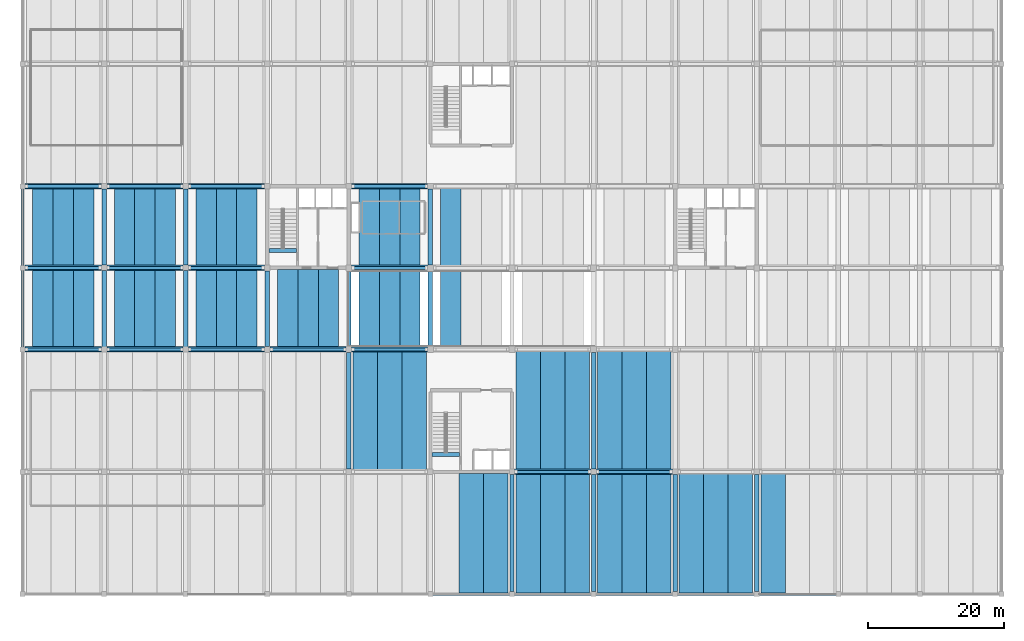
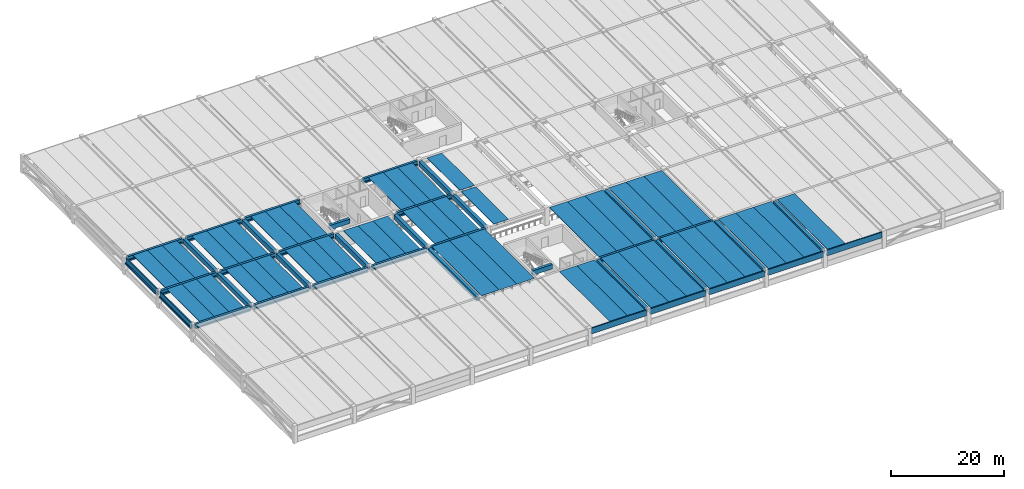
# One storey, part 2 of 16: 88 beams.
"""IFC4 building model written with IfcOpenShell, lengths in metres."""

import ifcopenshell
import ifcopenshell.guid

model = None  # the IFC model being written
_history = None  # IfcOwnerHistory: only IFC2X3 demands one
_inside = {}  # id of a spatial element -> (the spatial element, [elements in it])
_under = {}  # id of a project, library or spatial element -> (it, [spatial elements below it])
_declared = {}  # id of a project -> (the project, [libraries it declares])
_typed = {}  # id of a type object -> (the type object, [elements of that type])
_made_of = {}  # id of a material, layer set ... -> (it, [elements and type objects made of it])


def new_model(schema):
    """Start an empty IFC model of exactly this schema.

    Asked for "IFC4X3", IfcOpenShell would pick the latest addendum, in which some entities
    have other attributes; the version numbers below select the first issue.
    IFC2X3 requires an IfcOwnerHistory on every rooted entity: one is made here for all.
    """
    global model, _history
    if schema == "IFC4X3":
        model = ifcopenshell.file(schema_version=(4, 3, 0, 0))
    else:
        model = ifcopenshell.file(schema=schema)
    _inside.clear()
    _under.clear()
    _declared.clear()
    _typed.clear()
    _made_of.clear()
    _history = None
    if model.schema == "IFC2X3":
        org = make("IfcOrganization", Name="unknown")
        user = make(
            "IfcPersonAndOrganization",
            ThePerson=make("IfcPerson", FamilyName="unknown"),
            TheOrganization=org,
        )
        app = make(
            "IfcApplication",
            ApplicationDeveloper=org,
            Version="unknown",
            ApplicationFullName="unknown",
            ApplicationIdentifier="unknown",
        )
        _history = make(
            "IfcOwnerHistory",
            OwningUser=user,
            OwningApplication=app,
            ChangeAction="ADDED",
            CreationDate=0,
        )
    return model


def make(cls, **values):
    """One entity of the class cls with the attributes given. An attribute that is None is left unset."""
    return model.create_entity(
        cls, **{name: value for name, value in values.items() if value is not None}
    )


def rooted(cls, **values):
    """An entity with a GlobalId (a new one), such as an element, a storey or a relation."""
    return make(cls, GlobalId=ifcopenshell.guid.new(), OwnerHistory=_history, **values)


def si_unit(unit_type, name, prefix=None):
    """IfcSIUnit, for example si_unit("LENGTHUNIT", "METRE", prefix="MILLI")."""
    return make("IfcSIUnit", UnitType=unit_type, Prefix=prefix, Name=name)


def assignment(units):
    """IfcUnitAssignment: the units of a project."""
    return None if units is None else make("IfcUnitAssignment", Units=units)


def point(xyz):
    """IfcCartesianPoint."""
    return None if xyz is None else make("IfcCartesianPoint", Coordinates=xyz)


def direction(xyz):
    """IfcDirection."""
    return None if xyz is None else make("IfcDirection", DirectionRatios=xyz)


def frame(location, z_axis=None, x_axis=None):
    """IfcAxis2Placement3D, a coordinate frame: its origin and axes. An axis left out is left unset."""
    return make(
        "IfcAxis2Placement3D",
        Location=point(location),
        Axis=direction(z_axis),
        RefDirection=direction(x_axis),
    )


def frame_2d(location, x_axis=None):
    """IfcAxis2Placement2D, a coordinate frame in the plane: its origin and x axis."""
    return make(
        "IfcAxis2Placement2D", Location=point(location), RefDirection=direction(x_axis)
    )


def origin():
    """The frame at (0, 0, 0) with its axes left unset."""
    return frame((0.0, 0.0, 0.0))


def origin_2d():
    """The frame at (0, 0) in the plane with its x axis left unset."""
    return frame_2d((0.0, 0.0))


def place(relative_to, where):
    """IfcLocalPlacement: puts the frame where relative to a parent placement (None: the world)."""
    return make(
        "IfcLocalPlacement", PlacementRelTo=relative_to, RelativePlacement=where
    )


def context(
    kind, dimensions, precision=None, world=None, true_north=None, identifier=None
):
    """IfcGeometricRepresentationContext, for example the 3D "Model" context."""
    return make(
        "IfcGeometricRepresentationContext",
        ContextIdentifier=identifier,
        ContextType=kind,
        CoordinateSpaceDimension=dimensions,
        Precision=precision,
        WorldCoordinateSystem=world,
        TrueNorth=true_north,
    )


def subcontext(parent, identifier, kind, view, scale=None):
    """IfcGeometricRepresentationSubContext, for example "Body" below "Model"."""
    return make(
        "IfcGeometricRepresentationSubContext",
        ContextIdentifier=identifier,
        ContextType=kind,
        ParentContext=parent,
        TargetScale=scale,
        TargetView=view,
    )


def project(units=None, contexts=None):
    """IfcProject with its units and contexts."""
    return rooted(
        "IfcProject",
        Name="project",
        RepresentationContexts=contexts,
        UnitsInContext=assignment(units),
    )


def spatial(cls, under=None, at=None, **own):
    """A site, building, storey or space (cls), placed at a placement, below another one or the project."""
    s = rooted(cls, ObjectPlacement=at, **own)
    if under is not None:
        _under.setdefault(under.id(), (under, []))[1].append(s)
    return s


def polyline(points):
    """IfcPolyline through the points."""
    return make("IfcPolyline", Points=[point(p) for p in points])


def profile(cls, at=None, kind="AREA", **sizes):
    """A parametric profile (cls). Its sizes go by their IFC names, for example OverallWidth=200.0."""
    return make(cls, ProfileType=kind, Position=at, **sizes)


def rectangle(**sizes):
    """IfcRectangleProfileDef."""
    return profile("IfcRectangleProfileDef", **sizes)


def outline(outer, holes=None, kind="AREA"):
    """IfcArbitraryClosedProfileDef: a profile drawn as a closed curve; with holes, ...WithVoids."""
    if holes is None:
        return make("IfcArbitraryClosedProfileDef", ProfileType=kind, OuterCurve=outer)
    return make(
        "IfcArbitraryProfileDefWithVoids",
        ProfileType=kind,
        OuterCurve=outer,
        InnerCurves=holes,
    )


def extrude(swept, where, along, depth):
    """IfcExtrudedAreaSolid: the profile swept, set in the frame where, extruded along a direction by depth."""
    return make(
        "IfcExtrudedAreaSolid",
        SweptArea=swept,
        Position=where,
        ExtrudedDirection=direction(along),
        Depth=depth,
    )


def shape(context_of_items, identifier, shape_type, items):
    """IfcShapeRepresentation: the items that make up one representation, for example the "Body"."""
    return make(
        "IfcShapeRepresentation",
        ContextOfItems=context_of_items,
        RepresentationIdentifier=identifier,
        RepresentationType=shape_type,
        Items=items,
    )


def material(Name=None, Category=None):
    """IfcMaterial."""
    return make("IfcMaterial", Name=Name, Category=Category)


def material_profile(
    of_material, cross_section, Name=None, Category=None, Priority=None
):
    """IfcMaterialProfile: a cross section and its material."""
    return make(
        "IfcMaterialProfile",
        Name=Name,
        Material=of_material,
        Profile=cross_section,
        Priority=Priority,
        Category=Category,
    )


def profile_set(profiles, Name=None, composite=None):
    """IfcMaterialProfileSet."""
    return make(
        "IfcMaterialProfileSet",
        Name=Name,
        MaterialProfiles=profiles,
        CompositeProfile=composite,
    )


def made_of(thing, what):
    """Note that an element or type object is made of a material, layer set ...; save() writes the relation."""
    if what is not None:
        _made_of.setdefault(what.id(), (what, []))[1].append(thing)
    return thing


def type_object(cls, material=None, **own):
    """A type object (cls), such as IfcWallType, which elements share."""
    return made_of(rooted(cls, **own), material)


def element(
    cls,
    number,
    at=None,
    inside=None,
    cuts=None,
    type_object=None,
    material=None,
    context=None,
    identifier="Body",
    shape_type=None,
    held_by="IfcProductDefinitionShape",
    body=None,
    shapes=None,
    **own,
):
    """One element of the class cls, such as IfcWall. Its Tag is "e" and its number.

    at: its placement. inside: the storey or other place that contains it. cuts: it is an
    opening in that element (IfcRelVoidsElement). A single representation is given by context,
    identifier, shape_type and body (its items); several are given by shapes. held_by: the class
    of the entity that holds the representations. save() writes the other relations.
    """
    e = rooted(cls, Tag="e%d" % number, ObjectPlacement=at, **own)
    if body is not None:
        shapes = [shape(context, identifier, shape_type, body)]
    if shapes is not None:
        e.Representation = make(held_by, Representations=shapes)
    if inside is not None:
        _inside.setdefault(inside.id(), (inside, []))[1].append(e)
    if cuts is not None:
        rooted(
            "IfcRelVoidsElement", RelatingBuildingElement=cuts, RelatedOpeningElement=e
        )
    if type_object is not None:
        _typed.setdefault(type_object.id(), (type_object, []))[1].append(e)
    return made_of(e, material)


def aggregate(whole, parts):
    """IfcRelAggregates: a whole, such as a stair, and the parts it consists of."""
    return rooted("IfcRelAggregates", RelatingObject=whole, RelatedObjects=parts)


def save(model, path):
    """Write the relations noted so far, then the file.

    IfcRelAggregates (storeys below a building ...), IfcRelContainedInSpatialStructure (elements
    in a storey), IfcRelDefinesByType, IfcRelAssociatesMaterial and IfcRelDeclares: one each for
    every whole, place, type object, material and project.
    """
    for whole, parts in _under.values():
        aggregate(whole, parts)
    for where, things in _inside.values():
        rooted(
            "IfcRelContainedInSpatialStructure",
            RelatedElements=things,
            RelatingStructure=where,
        )
    for kind, things in _typed.values():
        rooted("IfcRelDefinesByType", RelatedObjects=things, RelatingType=kind)
    for what, things in _made_of.values():
        rooted("IfcRelAssociatesMaterial", RelatedObjects=things, RelatingMaterial=what)
    for by, libraries in _declared.values():
        rooted("IfcRelDeclares", RelatingContext=by, RelatedDefinitions=libraries)
    model.write(path)


model = new_model("IFC4")

# Units and contexts
model_context = context("Model", 3, precision=1e-05, world=origin(), true_north=direction((0.0, 1.0)))
body_context = subcontext(model_context, "Body", "Model", "MODEL_VIEW")
ifc_project = project(units=[si_unit("LENGTHUNIT", "METRE"), si_unit("AREAUNIT", "SQUARE_METRE"), si_unit("VOLUMEUNIT", "CUBIC_METRE"), si_unit("PLANEANGLEUNIT", "RADIAN"), si_unit("MASSUNIT", "GRAM", prefix="KILO")], contexts=[model_context])

# Site, building, storey
site_placement = place(None, origin())
site = spatial("IfcSite", under=ifc_project, at=site_placement, CompositionType="ELEMENT")
building_placement = place(site_placement, origin())
building = spatial("IfcBuilding", under=site, at=building_placement, Name="Girod Span Mobility Hub", CompositionType="ELEMENT")
storey_placement = place(building_placement, frame((0.0, 0.0, 28.60009765625)))
storey = spatial("IfcBuildingStorey", under=building, at=storey_placement, Name="L07", CompositionType="ELEMENT", Elevation=28.60009765625)

# Beams
ifc_material_1 = material(Name="Concrete C50/60", Category="concrete")
ifc_material_profile_1 = material_profile(ifc_material_1, outline(polyline([(-1.5, 0.300048828125), (-1.5, 0.2099609375), (-0.8349609375, 0.2099609375), (-0.8125, -0.300048828125), (-0.6875, -0.300048828125), (-0.6650390625, 0.2099609375), (0.6650390625, 0.2099609375), (0.6875, -0.300048828125), (0.8125, -0.300048828125), (0.8349609375, 0.2099609375), (1.5, 0.2099609375), (1.5, 0.300048828125), (-1.5, 0.300048828125)])), Name="DT-3000X600")
ifc_profile_set_1 = profile_set([ifc_material_profile_1], Name="Concrete C50/60")
beam_type_1 = type_object("IfcBeamType", Name="BM-DT-3000X600", PredefinedType="JOIST", material=ifc_profile_set_1)
for number, where, z_axis, x_axis, name in (
    (1, (15.0, 45.22705078125, 3.27978515625), (0.0, 1.0, 0.0), (-1.0, 0.0, 0.0), "Double-Tee Deck 2/D-1 L07"),
    (2, (18.0, 45.22705078125, 3.27978515625), (0.0, 1.0, 0.0), (-1.0, 0.0, 0.0), "Double-Tee Deck 2/D-2 L07"),
    (3, (21.0, 45.22705078125, 3.27978515625), (0.0, 1.0, 0.0), (-1.0, 0.0, 0.0), "Double-Tee Deck 2/D-3 L07"),
    (4, (15.0, 57.22705078125, 3.27978515625), (0.0, 1.0, 0.0), (-1.0, 0.0, 0.0), "Double-Tee Deck 2/E-1 L07"),
    (5, (18.0, 57.22705078125, 3.27978515625), (0.0, 1.0, 0.0), (-1.0, 0.0, 0.0), "Double-Tee Deck 2/E-2 L07"),
    (6, (21.0, 57.22705078125, 3.27978515625), (0.0, 1.0, 0.0), (-1.0, 0.0, 0.0), "Double-Tee Deck 2/E-3 L07"),
    (7, (27.0, 45.22705078125, 3.25), (0.0, 1.0, 0.0), (-1.0, 0.0, 0.0), "Double-Tee Deck 3/D-1 L07"),
    (8, (30.0, 45.22705078125, 3.25), (0.0, 1.0, 0.0), (-1.0, 0.0, 0.0), "Double-Tee Deck 3/D-2 L07"),
    (9, (33.0, 45.22705078125, 3.25), (0.0, 1.0, 0.0), (-1.0, 0.0, 0.0), "Double-Tee Deck 3/D-3 L07"),
    (10, (27.0, 57.22705078125, 3.25), (0.0, 1.0, 0.0), (-1.0, 0.0, 0.0), "Double-Tee Deck 3/E-1 L07"),
    (11, (30.0, 57.22705078125, 3.25), (0.0, 1.0, 0.0), (-1.0, 0.0, 0.0), "Double-Tee Deck 3/E-2 L07"),
    (12, (33.0, 57.22705078125, 3.25), (0.0, 1.0, 0.0), (-1.0, 0.0, 0.0), "Double-Tee Deck 3/E-3 L07"),
    (13, (39.0, 45.22705078125, 3.25), (0.0, 1.0, 0.0), (-1.0, 0.0, 0.0), "Double-Tee Deck 4/D-1 L07"),
    (14, (42.0, 45.22705078125, 3.25), (0.0, 1.0, 0.0), (-1.0, 0.0, 0.0), "Double-Tee Deck 4/D-2 L07"),
    (15, (45.0, 45.22705078125, 3.25), (0.0, 1.0, 0.0), (-1.0, 0.0, 0.0), "Double-Tee Deck 4/D-3 L07"),
    (16, (39.0, 57.22705078125, 3.25), (0.0, 1.0, 0.0), (-1.0, 0.0, 0.0), "Double-Tee Deck 4/E-1 L07"),
    (17, (42.0, 57.22705078125, 3.25), (0.0, 1.0, 0.0), (-1.0, 0.0, 0.0), "Double-Tee Deck 4/E-2 L07"),
    (18, (45.0, 57.22705078125, 3.25), (0.0, 1.0, 0.0), (-1.0, 0.0, 0.0), "Double-Tee Deck 4/E-3 L07"),
):
    element("IfcBeam", number, at=place(storey_placement, frame(where, z_axis=z_axis, x_axis=x_axis)), inside=storey, type_object=beam_type_1, Name=name, PredefinedType="JOIST", context=body_context, shape_type="SweptSolid", body=[
        extrude(outline(polyline([(-1.5, 0.300048828125), (-1.5, 0.2099609375), (-0.8349609375, 0.2099609375), (-0.8125, -0.300048828125), (-0.6875, -0.300048828125), (-0.6650390625, 0.2099609375), (0.6650390625, 0.2099609375), (0.6875, -0.300048828125), (0.8125, -0.300048828125), (0.8349609375, 0.2099609375), (1.5, 0.2099609375), (1.5, 0.300048828125), (-1.5, 0.300048828125)])), origin(), (0.0, 0.0, 1.0), 11.5458984375),
    ])
for number, where, z_axis, x_axis, name in (
    (19, (51.0, 45.22705078125, 3.25), (0.0, 1.0, 0.0), (-1.0, 0.0, 0.0), "Double-Tee Deck 5/D-1 L07"),
    (20, (54.0, 45.22705078125, 3.25), (0.0, 1.0, 0.0), (-1.0, 0.0, 0.0), "Double-Tee Deck 5/D-2 L07"),
    (21, (57.0, 45.22705078125, 3.25), (0.0, 1.0, 0.0), (-1.0, 0.0, 0.0), "Double-Tee Deck 5/D-3 L07"),
):
    element("IfcBeam", number, at=place(storey_placement, frame(where, z_axis=z_axis, x_axis=x_axis)), inside=storey, type_object=beam_type_1, Name=name, PredefinedType="JOIST", context=body_context, shape_type="SweptSolid", body=[
        extrude(outline(polyline([(-1.5, 0.300048828125), (-1.5, 0.2099609375), (-0.8349609375, 0.2099609375), (-0.8125, -0.300048828125), (-0.6875, -0.300048828125), (-0.6650390625, 0.2099609375), (0.6650390625, 0.2099609375), (0.6875, -0.300048828125), (0.8125, -0.300048828125), (0.8349609375, 0.2099609375), (1.5, 0.2099609375), (1.5, 0.300048828125), (-1.5, 0.300048828125)])), origin(), (0.0, 0.0, 1.0), 11.52587890625),
    ])
for number, where, z_axis, x_axis, name in (
    (22, (63.0, 45.22705078125, 3.25), (0.0, 1.0, 0.0), (-1.0, 0.0, 0.0), "Double-Tee Deck 6/D-1 L07"),
    (23, (66.0, 45.22705078125, 3.25), (0.0, 1.0, 0.0), (-1.0, 0.0, 0.0), "Double-Tee Deck 6/D-2 L07"),
    (24, (69.0, 45.22705078125, 3.25), (0.0, 1.0, 0.0), (-1.0, 0.0, 0.0), "Double-Tee Deck 6/D-3 L07"),
    (25, (63.0, 57.22705078125, 3.25), (0.0, 1.0, 0.0), (-1.0, 0.0, 0.0), "Double-Tee Deck 6/E-1 L07"),
    (26, (66.0, 57.22705078125, 3.25), (0.0, 1.0, 0.0), (-1.0, 0.0, 0.0), "Double-Tee Deck 6/E-2 L07"),
    (27, (69.0, 57.22705078125, 3.25), (0.0, 1.0, 0.0), (-1.0, 0.0, 0.0), "Double-Tee Deck 6/E-3 L07"),
    (28, (75.0, 45.22705078125, 3.25), (0.0, 1.0, 0.0), (-1.0, 0.0, 0.0), "Double-Tee Deck 7/D-1 L07"),
    (29, (75.0, 57.22705078125, 3.25), (0.0, 1.0, 0.0), (-1.0, 0.0, 0.0), "Double-Tee Deck 7/E-1 L07"),
):
    element("IfcBeam", number, at=place(storey_placement, frame(where, z_axis=z_axis, x_axis=x_axis)), inside=storey, type_object=beam_type_1, Name=name, PredefinedType="JOIST", context=body_context, shape_type="SweptSolid", body=[
        extrude(outline(polyline([(-1.5, 0.300048828125), (-1.5, 0.2099609375), (-0.8349609375, 0.2099609375), (-0.8125, -0.300048828125), (-0.6875, -0.300048828125), (-0.6650390625, 0.2099609375), (0.6650390625, 0.2099609375), (0.6875, -0.300048828125), (0.8125, -0.300048828125), (0.8349609375, 0.2099609375), (1.5, 0.2099609375), (1.5, 0.300048828125), (-1.5, 0.300048828125)])), origin(), (0.0, 0.0, 1.0), 11.5458984375),
    ])
ifc_material_2 = material(Name="Concrete C50/60", Category="concrete")
ifc_material_profile_2 = material_profile(ifc_material_2, outline(polyline([(-1.800048828125, 0.425048828125), (-1.800048828125, 0.324951171875), (-1.0, 0.324951171875), (-0.969970703125, -0.425048828125), (-0.830078125, -0.425048828125), (-0.800048828125, 0.324951171875), (0.800048828125, 0.324951171875), (0.830078125, -0.425048828125), (0.969970703125, -0.425048828125), (1.0, 0.324951171875), (1.800048828125, 0.324951171875), (1.800048828125, 0.425048828125), (-1.800048828125, 0.425048828125)])), Name="DT-3600X850")
ifc_profile_set_2 = profile_set([ifc_material_profile_2], Name="Concrete C50/60")
beam_type_2 = type_object("IfcBeamType", Name="BM-DT-3600X850", PredefinedType="JOIST", material=ifc_profile_set_2)
for number, where, z_axis, x_axis, name in (
    (30, (62.39990234375, 27.22705078125, 3.099853515625), (0.0, 1.0, 0.0), (-1.0, 0.0, 0.0), "Double-Tee Deck 6/C-1 L07"),
    (31, (66.0, 27.22705078125, 3.099853515625), (0.0, 1.0, 0.0), (-1.0, 0.0, 0.0), "Double-Tee Deck 6/C-2 L07"),
    (32, (69.60009765625, 27.22705078125, 3.099853515625), (0.0, 1.0, 0.0), (-1.0, 0.0, 0.0), "Double-Tee Deck 6/C-3 L07"),
):
    element("IfcBeam", number, at=place(storey_placement, frame(where, z_axis=z_axis, x_axis=x_axis)), inside=storey, type_object=beam_type_2, Name=name, PredefinedType="JOIST", context=body_context, shape_type="SweptSolid", body=[
        extrude(outline(polyline([(-1.800048828125, 0.425048828125), (-1.800048828125, 0.324951171875), (-1.0, 0.324951171875), (-0.969970703125, -0.425048828125), (-0.830078125, -0.425048828125), (-0.800048828125, 0.324951171875), (0.800048828125, 0.324951171875), (0.830078125, -0.425048828125), (0.969970703125, -0.425048828125), (1.0, 0.324951171875), (1.800048828125, 0.324951171875), (1.800048828125, 0.425048828125), (-1.800048828125, 0.425048828125)])), origin(), (0.0, 0.0, 1.0), 17.5458984375),
    ])
for number, where, z_axis, x_axis, name in (
    (33, (78.0, 9.01708984375, 3.15478515625), (0.0, 1.0, 0.0), (-1.0, 0.0, 0.0), "Double-Tee Deck 7/B-2 L07"),
    (34, (81.60009765625, 9.01708984375, 3.15478515625), (0.0, 1.0, 0.0), (-1.0, 0.0, 0.0), "Double-Tee Deck 7/B-3 L07"),
):
    element("IfcBeam", number, at=place(storey_placement, frame(where, z_axis=z_axis, x_axis=x_axis)), inside=storey, type_object=beam_type_2, Name=name, PredefinedType="JOIST", context=body_context, shape_type="SweptSolid", body=[
        extrude(outline(polyline([(-1.800048828125, 0.425048828125), (-1.800048828125, 0.324951171875), (-1.0, 0.324951171875), (-0.969970703125, -0.425048828125), (-0.830078125, -0.425048828125), (-0.800048828125, 0.324951171875), (0.800048828125, 0.324951171875), (0.830078125, -0.425048828125), (0.969970703125, -0.425048828125), (1.0, 0.324951171875), (1.800048828125, 0.324951171875), (1.800048828125, 0.425048828125), (-1.800048828125, 0.425048828125)])), origin(), (0.0, 0.0, 1.0), 17.760986328125),
    ])
for number, where, z_axis, x_axis, name in (
    (35, (86.39990234375, 9.01708984375, 3.15478515625), (0.0, 1.0, 0.0), (-1.0, 0.0, 0.0), "Double-Tee Deck 8/B-1 L07"),
    (36, (90.0, 9.01708984375, 3.15478515625), (0.0, 1.0, 0.0), (-1.0, 0.0, 0.0), "Double-Tee Deck 8/B-2 L07"),
    (37, (93.60009765625, 9.01708984375, 3.15478515625), (0.0, 1.0, 0.0), (-1.0, 0.0, 0.0), "Double-Tee Deck 8/B-3 L07"),
):
    element("IfcBeam", number, at=place(storey_placement, frame(where, z_axis=z_axis, x_axis=x_axis)), inside=storey, type_object=beam_type_2, Name=name, PredefinedType="JOIST", context=body_context, shape_type="SweptSolid", body=[
        extrude(outline(polyline([(-1.800048828125, 0.425048828125), (-1.800048828125, 0.324951171875), (-1.0, 0.324951171875), (-0.969970703125, -0.425048828125), (-0.830078125, -0.425048828125), (-0.800048828125, 0.324951171875), (0.800048828125, 0.324951171875), (0.830078125, -0.425048828125), (0.969970703125, -0.425048828125), (1.0, 0.324951171875), (1.800048828125, 0.324951171875), (1.800048828125, 0.425048828125), (-1.800048828125, 0.425048828125)])), origin(), (0.0, 0.0, 1.0), 17.755859375),
    ])
for number, where, z_axis, x_axis, name in (
    (38, (86.39990234375, 27.22705078125, 3.099853515625), (0.0, 1.0, 0.0), (-1.0, 0.0, 0.0), "Double-Tee Deck 8/C-1 L07"),
    (39, (90.0, 27.22705078125, 3.099853515625), (0.0, 1.0, 0.0), (-1.0, 0.0, 0.0), "Double-Tee Deck 8/C-2 L07"),
    (40, (93.60009765625, 27.22705078125, 3.099853515625), (0.0, 1.0, 0.0), (-1.0, 0.0, 0.0), "Double-Tee Deck 8/C-3 L07"),
):
    element("IfcBeam", number, at=place(storey_placement, frame(where, z_axis=z_axis, x_axis=x_axis)), inside=storey, type_object=beam_type_2, Name=name, PredefinedType="JOIST", context=body_context, shape_type="SweptSolid", body=[
        extrude(outline(polyline([(-1.800048828125, 0.425048828125), (-1.800048828125, 0.324951171875), (-1.0, 0.324951171875), (-0.969970703125, -0.425048828125), (-0.830078125, -0.425048828125), (-0.800048828125, 0.324951171875), (0.800048828125, 0.324951171875), (0.830078125, -0.425048828125), (0.969970703125, -0.425048828125), (1.0, 0.324951171875), (1.800048828125, 0.324951171875), (1.800048828125, 0.425048828125), (-1.800048828125, 0.425048828125)])), origin(), (0.0, 0.0, 1.0), 17.5458984375),
    ])
for number, where, z_axis, x_axis, name in (
    (41, (98.39990234375, 9.01708984375, 3.15478515625), (0.0, 1.0, 0.0), (-1.0, 0.0, 0.0), "Double-Tee Deck 9/B-1 L07"),
    (42, (102.0, 9.01708984375, 3.15478515625), (0.0, 1.0, 0.0), (-1.0, 0.0, 0.0), "Double-Tee Deck 9/B-2 L07"),
    (43, (105.60009765625, 9.01708984375, 3.15478515625), (0.0, 1.0, 0.0), (-1.0, 0.0, 0.0), "Double-Tee Deck 9/B-3 L07"),
):
    element("IfcBeam", number, at=place(storey_placement, frame(where, z_axis=z_axis, x_axis=x_axis)), inside=storey, type_object=beam_type_2, Name=name, PredefinedType="JOIST", context=body_context, shape_type="SweptSolid", body=[
        extrude(outline(polyline([(-1.800048828125, 0.425048828125), (-1.800048828125, 0.324951171875), (-1.0, 0.324951171875), (-0.969970703125, -0.425048828125), (-0.830078125, -0.425048828125), (-0.800048828125, 0.324951171875), (0.800048828125, 0.324951171875), (0.830078125, -0.425048828125), (0.969970703125, -0.425048828125), (1.0, 0.324951171875), (1.800048828125, 0.324951171875), (1.800048828125, 0.425048828125), (-1.800048828125, 0.425048828125)])), origin(), (0.0, 0.0, 1.0), 17.755859375),
    ])
for number, where, z_axis, x_axis, name in (
    (44, (98.39990234375, 27.22705078125, 3.099853515625), (0.0, 1.0, 0.0), (-1.0, 0.0, 0.0), "Double-Tee Deck 9/C-1 L07"),
    (45, (102.0, 27.22705078125, 3.099853515625), (0.0, 1.0, 0.0), (-1.0, 0.0, 0.0), "Double-Tee Deck 9/C-2 L07"),
    (46, (105.60009765625, 27.22705078125, 3.099853515625), (0.0, 1.0, 0.0), (-1.0, 0.0, 0.0), "Double-Tee Deck 9/C-3 L07"),
):
    element("IfcBeam", number, at=place(storey_placement, frame(where, z_axis=z_axis, x_axis=x_axis)), inside=storey, type_object=beam_type_2, Name=name, PredefinedType="JOIST", context=body_context, shape_type="SweptSolid", body=[
        extrude(outline(polyline([(-1.800048828125, 0.425048828125), (-1.800048828125, 0.324951171875), (-1.0, 0.324951171875), (-0.969970703125, -0.425048828125), (-0.830078125, -0.425048828125), (-0.800048828125, 0.324951171875), (0.800048828125, 0.324951171875), (0.830078125, -0.425048828125), (0.969970703125, -0.425048828125), (1.0, 0.324951171875), (1.800048828125, 0.324951171875), (1.800048828125, 0.425048828125), (-1.800048828125, 0.425048828125)])), origin(), (0.0, 0.0, 1.0), 17.5458984375),
    ])
for number, where, z_axis, x_axis, name in (
    (47, (110.39990234375, 9.01708984375, 3.15478515625), (0.0, 1.0, 0.0), (-1.0, 0.0, 0.0), "Double-Tee Deck 10/B-1 L07"),
    (48, (114.0, 9.01708984375, 3.15478515625), (0.0, 1.0, 0.0), (-1.0, 0.0, 0.0), "Double-Tee Deck 10/B-2 L07"),
    (49, (117.60009765625, 9.01708984375, 3.15478515625), (0.0, 1.0, 0.0), (-1.0, 0.0, 0.0), "Double-Tee Deck 10/B-3 L07"),
    (50, (122.39990234375, 9.01708984375, 3.15478515625), (0.0, 1.0, 0.0), (-1.0, 0.0, 0.0), "Double-Tee Deck 11/B-1 L07"),
):
    element("IfcBeam", number, at=place(storey_placement, frame(where, z_axis=z_axis, x_axis=x_axis)), inside=storey, type_object=beam_type_2, Name=name, PredefinedType="JOIST", context=body_context, shape_type="SweptSolid", body=[
        extrude(outline(polyline([(-1.800048828125, 0.425048828125), (-1.800048828125, 0.324951171875), (-1.0, 0.324951171875), (-0.969970703125, -0.425048828125), (-0.830078125, -0.425048828125), (-0.800048828125, 0.324951171875), (0.800048828125, 0.324951171875), (0.830078125, -0.425048828125), (0.969970703125, -0.425048828125), (1.0, 0.324951171875), (1.800048828125, 0.324951171875), (1.800048828125, 0.425048828125), (-1.800048828125, 0.425048828125)])), origin(), (0.0, 0.0, 1.0), 17.755859375),
    ])
ifc_material_3 = material(Name="Concrete C50/60", Category="concrete")
ifc_material_profile_3 = material_profile(ifc_material_3, outline(polyline([(-0.39990234375, -0.449951171875), (0.39990234375, -0.449951171875), (0.39990234375, -0.14990234375), (0.22998046875, -0.14990234375), (0.22998046875, 0.449951171875), (-0.22998046875, 0.449951171875), (-0.22998046875, -0.14990234375), (-0.39990234375, -0.14990234375), (-0.39990234375, -0.449951171875)])), Name="IT-800X900")
ifc_profile_set_3 = profile_set([ifc_material_profile_3], Name="Concrete C50/60")
beam_type_3 = type_object("IfcBeamType", Name="BM-IT-800X900", PredefinedType="T_BEAM", material=ifc_profile_set_3)
for number, where, z_axis, x_axis, name in (
    (51, (84.39697265625, 27.0, 3.099853515625), (1.0, 0.0, 0.0), (0.0, 1.0, 0.0), "Girder 8-9/C L07"),
    (52, (96.39697265625, 27.0, 3.099853515625), (1.0, 0.0, 0.0), (0.0, 1.0, 0.0), "Girder 9-10/C L07"),
):
    element("IfcBeam", number, at=place(storey_placement, frame(where, z_axis=z_axis, x_axis=x_axis)), inside=storey, type_object=beam_type_3, Name=name, PredefinedType="T_BEAM", context=body_context, shape_type="SweptSolid", body=[
        extrude(outline(polyline([(-0.39990234375, -0.449951171875), (0.39990234375, -0.449951171875), (0.39990234375, -0.14990234375), (0.22998046875, -0.14990234375), (0.22998046875, 0.449951171875), (-0.22998046875, 0.449951171875), (-0.22998046875, -0.14990234375), (-0.39990234375, -0.14990234375), (-0.39990234375, -0.449951171875)])), origin(), (0.0, 0.0, 1.0), 11.2060546875),
    ])
beam_1_placement = place(storey_placement, frame((12.3720703125, 45.0, 3.1298828125), z_axis=(1.0, 0.0, 0.0), x_axis=(0.0, 1.0, 0.0)))
element("IfcBeam", 53, at=beam_1_placement, inside=storey, type_object=beam_type_3, Name="Girder 2-3/D L07", PredefinedType="T_BEAM", context=body_context, shape_type="SweptSolid", body=[
    extrude(outline(polyline([(-0.39990234375, -0.449951171875), (0.39990234375, -0.449951171875), (0.39990234375, -0.14990234375), (0.22998046875, -0.14990234375), (0.22998046875, 0.449951171875), (-0.22998046875, 0.449951171875), (-0.22998046875, -0.14990234375), (-0.39990234375, -0.14990234375), (-0.39990234375, -0.449951171875)])), origin(), (0.0, 0.0, 1.0), 11.23095703125),
])
beam_2_placement = place(storey_placement, frame((24.39697265625, 45.0, 3.099853515625), z_axis=(1.0, 0.0, 0.0), x_axis=(0.0, 1.0, 0.0)))
element("IfcBeam", 54, at=beam_2_placement, inside=storey, type_object=beam_type_3, Name="Girder 3-4/D L07", PredefinedType="T_BEAM", context=body_context, shape_type="SweptSolid", body=[
    extrude(outline(polyline([(-0.39990234375, -0.449951171875), (0.39990234375, -0.449951171875), (0.39990234375, -0.14990234375), (0.22998046875, -0.14990234375), (0.22998046875, 0.449951171875), (-0.22998046875, 0.449951171875), (-0.22998046875, -0.14990234375), (-0.39990234375, -0.14990234375), (-0.39990234375, -0.449951171875)])), origin(), (0.0, 0.0, 1.0), 11.2060546875),
])
beam_3_placement = place(storey_placement, frame((36.39697265625, 45.0, 3.099853515625), z_axis=(1.0, 0.0, 0.0), x_axis=(0.0, 1.0, 0.0)))
element("IfcBeam", 55, at=beam_3_placement, inside=storey, type_object=beam_type_3, Name="Girder 4-5/D L07", PredefinedType="T_BEAM", context=body_context, shape_type="SweptSolid", body=[
    extrude(outline(polyline([(-0.39990234375, -0.449951171875), (0.39990234375, -0.449951171875), (0.39990234375, -0.14990234375), (0.22998046875, -0.14990234375), (0.22998046875, 0.449951171875), (-0.22998046875, 0.449951171875), (-0.22998046875, -0.14990234375), (-0.39990234375, -0.14990234375), (-0.39990234375, -0.449951171875)])), origin(), (0.0, 0.0, 1.0), 11.180908203125),
])
for number, where, z_axis, x_axis, name in (
    (56, (48.422119140625, 45.0, 3.099853515625), (1.0, 0.0, 0.0), (0.0, 1.0, 0.0), "Girder 5-6/D L07"),
    (57, (60.422119140625, 45.0, 3.099853515625), (1.0, 0.0, 0.0), (0.0, 1.0, 0.0), "Girder 6-7/D L07"),
):
    element("IfcBeam", number, at=place(storey_placement, frame(where, z_axis=z_axis, x_axis=x_axis)), inside=storey, type_object=beam_type_3, Name=name, PredefinedType="T_BEAM", context=body_context, shape_type="SweptSolid", body=[
        extrude(outline(polyline([(-0.39990234375, -0.449951171875), (0.39990234375, -0.449951171875), (0.39990234375, -0.14990234375), (0.22998046875, -0.14990234375), (0.22998046875, 0.449951171875), (-0.22998046875, 0.449951171875), (-0.22998046875, -0.14990234375), (-0.39990234375, -0.14990234375), (-0.39990234375, -0.449951171875)])), origin(), (0.0, 0.0, 1.0), 11.15576171875),
    ])
beam_4_placement = place(storey_placement, frame((12.3720703125, 57.0, 3.1298828125), z_axis=(1.0, 0.0, 0.0), x_axis=(0.0, 1.0, 0.0)))
element("IfcBeam", 58, at=beam_4_placement, inside=storey, type_object=beam_type_3, Name="Girder 2-3/E L07", PredefinedType="T_BEAM", context=body_context, shape_type="SweptSolid", body=[
    extrude(outline(polyline([(-0.39990234375, -0.449951171875), (0.39990234375, -0.449951171875), (0.39990234375, -0.14990234375), (0.22998046875, -0.14990234375), (0.22998046875, 0.449951171875), (-0.22998046875, 0.449951171875), (-0.22998046875, -0.14990234375), (-0.39990234375, -0.14990234375), (-0.39990234375, -0.449951171875)])), origin(), (0.0, 0.0, 1.0), 11.23095703125),
])
beam_5_placement = place(storey_placement, frame((24.39697265625, 57.0, 3.099853515625), z_axis=(1.0, 0.0, 0.0), x_axis=(0.0, 1.0, 0.0)))
element("IfcBeam", 59, at=beam_5_placement, inside=storey, type_object=beam_type_3, Name="Girder 3-4/E L07", PredefinedType="T_BEAM", context=body_context, shape_type="SweptSolid", body=[
    extrude(outline(polyline([(-0.39990234375, -0.449951171875), (0.39990234375, -0.449951171875), (0.39990234375, -0.14990234375), (0.22998046875, -0.14990234375), (0.22998046875, 0.449951171875), (-0.22998046875, 0.449951171875), (-0.22998046875, -0.14990234375), (-0.39990234375, -0.14990234375), (-0.39990234375, -0.449951171875)])), origin(), (0.0, 0.0, 1.0), 11.2060546875),
])
beam_6_placement = place(storey_placement, frame((36.39697265625, 57.0, 3.099853515625), z_axis=(1.0, 0.0, 0.0), x_axis=(0.0, 1.0, 0.0)))
element("IfcBeam", 60, at=beam_6_placement, inside=storey, type_object=beam_type_3, Name="Girder 4-5/E L07", PredefinedType="T_BEAM", context=body_context, shape_type="SweptSolid", body=[
    extrude(outline(polyline([(-0.39990234375, -0.449951171875), (0.39990234375, -0.449951171875), (0.39990234375, -0.14990234375), (0.22998046875, -0.14990234375), (0.22998046875, 0.449951171875), (-0.22998046875, 0.449951171875), (-0.22998046875, -0.14990234375), (-0.39990234375, -0.14990234375), (-0.39990234375, -0.449951171875)])), origin(), (0.0, 0.0, 1.0), 11.180908203125),
])
beam_7_placement = place(storey_placement, frame((60.422119140625, 57.0, 3.099853515625), z_axis=(1.0, 0.0, 0.0), x_axis=(0.0, 1.0, 0.0)))
element("IfcBeam", 61, at=beam_7_placement, inside=storey, type_object=beam_type_3, Name="Girder 6-7/E L07", PredefinedType="T_BEAM", context=body_context, shape_type="SweptSolid", body=[
    extrude(outline(polyline([(-0.39990234375, -0.449951171875), (0.39990234375, -0.449951171875), (0.39990234375, -0.14990234375), (0.22998046875, -0.14990234375), (0.22998046875, 0.449951171875), (-0.22998046875, 0.449951171875), (-0.22998046875, -0.14990234375), (-0.39990234375, -0.14990234375), (-0.39990234375, -0.449951171875)])), origin(), (0.0, 0.0, 1.0), 11.15576171875),
])
beam_8_placement = place(storey_placement, frame((12.3720703125, 69.0, 3.1298828125), z_axis=(1.0, 0.0, 0.0), x_axis=(0.0, 1.0, 0.0)))
element("IfcBeam", 62, at=beam_8_placement, inside=storey, type_object=beam_type_3, Name="Girder 2-3/F L07", PredefinedType="T_BEAM", context=body_context, shape_type="SweptSolid", body=[
    extrude(outline(polyline([(-0.39990234375, -0.449951171875), (0.39990234375, -0.449951171875), (0.39990234375, -0.14990234375), (0.22998046875, -0.14990234375), (0.22998046875, 0.449951171875), (-0.22998046875, 0.449951171875), (-0.22998046875, -0.14990234375), (-0.39990234375, -0.14990234375), (-0.39990234375, -0.449951171875)])), origin(), (0.0, 0.0, 1.0), 11.23095703125),
])
beam_9_placement = place(storey_placement, frame((24.39697265625, 69.0, 3.099853515625), z_axis=(1.0, 0.0, 0.0), x_axis=(0.0, 1.0, 0.0)))
element("IfcBeam", 63, at=beam_9_placement, inside=storey, type_object=beam_type_3, Name="Girder 3-4/F L07", PredefinedType="T_BEAM", context=body_context, shape_type="SweptSolid", body=[
    extrude(outline(polyline([(-0.39990234375, -0.449951171875), (0.39990234375, -0.449951171875), (0.39990234375, -0.14990234375), (0.22998046875, -0.14990234375), (0.22998046875, 0.449951171875), (-0.22998046875, 0.449951171875), (-0.22998046875, -0.14990234375), (-0.39990234375, -0.14990234375), (-0.39990234375, -0.449951171875)])), origin(), (0.0, 0.0, 1.0), 11.2060546875),
])
beam_10_placement = place(storey_placement, frame((36.39697265625, 69.0, 3.099853515625), z_axis=(1.0, 0.0, 0.0), x_axis=(0.0, 1.0, 0.0)))
element("IfcBeam", 64, at=beam_10_placement, inside=storey, type_object=beam_type_3, Name="Girder 4-5/F L07", PredefinedType="T_BEAM", context=body_context, shape_type="SweptSolid", body=[
    extrude(outline(polyline([(-0.39990234375, -0.449951171875), (0.39990234375, -0.449951171875), (0.39990234375, -0.14990234375), (0.22998046875, -0.14990234375), (0.22998046875, 0.449951171875), (-0.22998046875, 0.449951171875), (-0.22998046875, -0.14990234375), (-0.39990234375, -0.14990234375), (-0.39990234375, -0.449951171875)])), origin(), (0.0, 0.0, 1.0), 11.180908203125),
])
beam_11_placement = place(storey_placement, frame((60.422119140625, 69.0, 3.099853515625), z_axis=(1.0, 0.0, 0.0), x_axis=(0.0, 1.0, 0.0)))
element("IfcBeam", 65, at=beam_11_placement, inside=storey, type_object=beam_type_3, Name="Girder 6-7/F L07", PredefinedType="T_BEAM", context=body_context, shape_type="SweptSolid", body=[
    extrude(outline(polyline([(-0.39990234375, -0.449951171875), (0.39990234375, -0.449951171875), (0.39990234375, -0.14990234375), (0.22998046875, -0.14990234375), (0.22998046875, 0.449951171875), (-0.22998046875, 0.449951171875), (-0.22998046875, -0.14990234375), (-0.39990234375, -0.14990234375), (-0.39990234375, -0.449951171875)])), origin(), (0.0, 0.0, 1.0), 11.15576171875),
])
ifc_material_4 = material(Name="Concrete C40/50", Category="concrete")
ifc_material_profile_4 = material_profile(ifc_material_4, rectangle(XDim=0.550048828125, YDim=0.949951171875, at=origin_2d()), Name="RK-550X950")
ifc_profile_set_4 = profile_set([ifc_material_profile_4], Name="Concrete C40/50")
beam_type_4 = type_object("IfcBeamType", Name="BM-RK-550X950", PredefinedType="BEAM", material=ifc_profile_set_4)
beam_12_placement = place(storey_placement, frame((48.2470703125, 59.550048828125, 3.074951171875), z_axis=(1.0, 0.0, 0.0), x_axis=(0.0, 1.0, 0.0)))
element("IfcBeam", 66, at=beam_12_placement, inside=storey, type_object=beam_type_4, Name="Stair ST-1 Landing Header Beam L07", PredefinedType="BEAM", context=body_context, shape_type="SweptSolid", body=[
    extrude(rectangle(XDim=0.550048828125, YDim=0.949951171875, at=origin_2d()), origin(), (0.0, 0.0, 1.0), 4.055908203125),
])
beam_13_placement = place(storey_placement, frame((72.221923828125, 29.550048828125, 3.074951171875), z_axis=(1.0, 0.0, 0.0), x_axis=(0.0, 1.0, 0.0)))
element("IfcBeam", 67, at=beam_13_placement, inside=storey, type_object=beam_type_4, Name="Stair ST-3 Landing Header Beam L07", PredefinedType="BEAM", context=body_context, shape_type="SweptSolid", body=[
    extrude(rectangle(XDim=0.550048828125, YDim=0.949951171875, at=origin_2d()), origin(), (0.0, 0.0, 1.0), 4.0810546875),
])
ifc_material_5 = material(Name="Concrete C40/50", Category="concrete")
ifc_material_profile_5 = material_profile(ifc_material_5, outline(polyline([(-0.199951171875, -0.625), (0.199951171875, -0.625), (0.199951171875, -0.304931640625), (0.02001953125, -0.304931640625), (0.02001953125, 0.625), (-0.199951171875, 0.625), (-0.199951171875, -0.625)])), Name="SP-400X1250")
ifc_profile_set_5 = profile_set([ifc_material_profile_5], Name="Concrete C40/50")
beam_type_5 = type_object("IfcBeamType", Name="BM-SP-400X1250", PredefinedType="SPANDREL", material=ifc_profile_set_5)
for number, where, z_axis, x_axis, name in (
    (68, (72.3720703125, 9.0, 2.954833984375), (1.0, 0.0, 0.0), (0.0, 1.0, 0.0), "Girder 7-8/B L07"),
    (69, (84.3720703125, 9.0, 2.954833984375), (1.0, 0.0, 0.0), (0.0, 1.0, 0.0), "Girder 8-9/B L07"),
    (70, (96.3720703125, 9.0, 2.954833984375), (1.0, 0.0, 0.0), (0.0, 1.0, 0.0), "Girder 9-10/B L07"),
    (71, (108.3720703125, 9.0, 2.954833984375), (1.0, 0.0, 0.0), (0.0, 1.0, 0.0), "Girder 10-11/B L07"),
    (72, (120.3720703125, 9.0, 2.954833984375), (1.0, 0.0, 0.0), (0.0, 1.0, 0.0), "Girder 11-12/B L07"),
    (73, (12.0, 45.3720703125, 2.954833984375), (0.0, 1.0, 0.0), (-1.0, 0.0, 0.0), "Tie Girder 2/D-E L07"),
    (74, (12.0, 57.3720703125, 2.954833984375), (0.0, 1.0, 0.0), (-1.0, 0.0, 0.0), "Tie Girder 2/E-F L07"),
):
    element("IfcBeam", number, at=place(storey_placement, frame(where, z_axis=z_axis, x_axis=x_axis)), inside=storey, type_object=beam_type_5, Name=name, PredefinedType="SPANDREL", context=body_context, shape_type="SweptSolid", body=[
        extrude(outline(polyline([(-0.199951171875, -0.625), (0.199951171875, -0.625), (0.199951171875, -0.304931640625), (0.02001953125, -0.304931640625), (0.02001953125, 0.625), (-0.199951171875, 0.625), (-0.199951171875, -0.625)])), origin(), (0.0, 0.0, 1.0), 11.255859375),
    ])
ifc_material_6 = material(Name="Concrete C40/50", Category="concrete")
ifc_material_profile_6 = material_profile(ifc_material_6, rectangle(XDim=0.64990234375, YDim=1.0, at=origin_2d()), Name="TG-650X1000")
ifc_profile_set_6 = profile_set([ifc_material_profile_6], Name="Concrete C40/50")
beam_type_6 = type_object("IfcBeamType", Name="BM-TG-650X1000", PredefinedType="T_BEAM", material=ifc_profile_set_6)
for number, where, z_axis, x_axis, name in (
    (75, (24.0, 45.39697265625, 3.0498046875), (0.0, 1.0, 0.0), (-1.0, 0.0, 0.0), "Tie Girder 3/D-E L07"),
    (76, (24.0, 57.39697265625, 3.0498046875), (0.0, 1.0, 0.0), (-1.0, 0.0, 0.0), "Tie Girder 3/E-F L07"),
    (77, (36.0, 45.39697265625, 3.0498046875), (0.0, 1.0, 0.0), (-1.0, 0.0, 0.0), "Tie Girder 4/D-E L07"),
    (78, (36.0, 57.39697265625, 3.0498046875), (0.0, 1.0, 0.0), (-1.0, 0.0, 0.0), "Tie Girder 4/E-F L07"),
):
    element("IfcBeam", number, at=place(storey_placement, frame(where, z_axis=z_axis, x_axis=x_axis)), inside=storey, type_object=beam_type_6, Name=name, PredefinedType="T_BEAM", context=body_context, shape_type="SweptSolid", body=[
        extrude(rectangle(XDim=0.64990234375, YDim=1.0, at=origin_2d()), origin(), (0.0, 0.0, 1.0), 11.2060546875),
    ])
beam_14_placement = place(storey_placement, frame((48.0, 45.422119140625, 3.0498046875), z_axis=(0.0, 1.0, 0.0), x_axis=(-1.0, 0.0, 0.0)))
element("IfcBeam", 79, at=beam_14_placement, inside=storey, type_object=beam_type_6, Name="Tie Girder 5/D-E L07", PredefinedType="T_BEAM", context=body_context, shape_type="SweptSolid", body=[
    extrude(rectangle(XDim=0.64990234375, YDim=1.0, at=origin_2d()), origin(), (0.0, 0.0, 1.0), 11.15576171875),
])
beam_15_placement = place(storey_placement, frame((60.0, 27.39697265625, 3.02490234375), z_axis=(0.0, 1.0, 0.0), x_axis=(-1.0, 0.0, 0.0)))
element("IfcBeam", 80, at=beam_15_placement, inside=storey, type_object=beam_type_6, Name="Tie Girder 6/C-D L07", PredefinedType="T_BEAM", context=body_context, shape_type="SweptSolid", body=[
    extrude(rectangle(XDim=0.64990234375, YDim=1.0, at=origin_2d()), origin(), (0.0, 0.0, 1.0), 17.180908203125),
])
for number, where, z_axis, x_axis, name in (
    (81, (60.0, 45.422119140625, 3.0498046875), (0.0, 1.0, 0.0), (-1.0, 0.0, 0.0), "Tie Girder 6/D-E L07"),
    (82, (72.0, 45.422119140625, 3.0498046875), (0.0, 1.0, 0.0), (-1.0, 0.0, 0.0), "Tie Girder 7/D-E L07"),
    (83, (72.0, 57.422119140625, 3.0498046875), (0.0, 1.0, 0.0), (-1.0, 0.0, 0.0), "Tie Girder 7/E-F L07"),
):
    element("IfcBeam", number, at=place(storey_placement, frame(where, z_axis=z_axis, x_axis=x_axis)), inside=storey, type_object=beam_type_6, Name=name, PredefinedType="T_BEAM", context=body_context, shape_type="SweptSolid", body=[
        extrude(rectangle(XDim=0.64990234375, YDim=1.0, at=origin_2d()), origin(), (0.0, 0.0, 1.0), 11.15576171875),
    ])
for number, where, z_axis, x_axis, name in (
    (84, (84.0, 9.3720703125, 3.079833984375), (0.0, 1.0, 0.0), (-1.0, 0.0, 0.0), "Tie Girder 8/B-C L07"),
    (85, (96.0, 9.3720703125, 3.079833984375), (0.0, 1.0, 0.0), (-1.0, 0.0, 0.0), "Tie Girder 9/B-C L07"),
):
    element("IfcBeam", number, at=place(storey_placement, frame(where, z_axis=z_axis, x_axis=x_axis)), inside=storey, type_object=beam_type_6, Name=name, PredefinedType="T_BEAM", context=body_context, shape_type="SweptSolid", body=[
        extrude(rectangle(XDim=0.64990234375, YDim=1.0, at=origin_2d()), origin(), (0.0, 0.0, 1.0), 17.23095703125),
    ])
beam_16_placement = place(storey_placement, frame((96.0, 27.39697265625, 3.02490234375), z_axis=(0.0, 1.0, 0.0), x_axis=(-1.0, 0.0, 0.0)))
element("IfcBeam", 86, at=beam_16_placement, inside=storey, type_object=beam_type_6, Name="Tie Girder 9/C-D L07", PredefinedType="T_BEAM", context=body_context, shape_type="SweptSolid", body=[
    extrude(rectangle(XDim=0.64990234375, YDim=1.0, at=origin_2d()), origin(), (0.0, 0.0, 1.0), 17.180908203125),
])
for number, where, z_axis, x_axis, name in (
    (87, (108.0, 9.3720703125, 3.079833984375), (0.0, 1.0, 0.0), (-1.0, 0.0, 0.0), "Tie Girder 10/B-C L07"),
    (88, (120.0, 9.3720703125, 3.079833984375), (0.0, 1.0, 0.0), (-1.0, 0.0, 0.0), "Tie Girder 11/B-C L07"),
):
    element("IfcBeam", number, at=place(storey_placement, frame(where, z_axis=z_axis, x_axis=x_axis)), inside=storey, type_object=beam_type_6, Name=name, PredefinedType="T_BEAM", context=body_context, shape_type="SweptSolid", body=[
        extrude(rectangle(XDim=0.64990234375, YDim=1.0, at=origin_2d()), origin(), (0.0, 0.0, 1.0), 17.23095703125),
    ])

save(model, "model.ifc")
